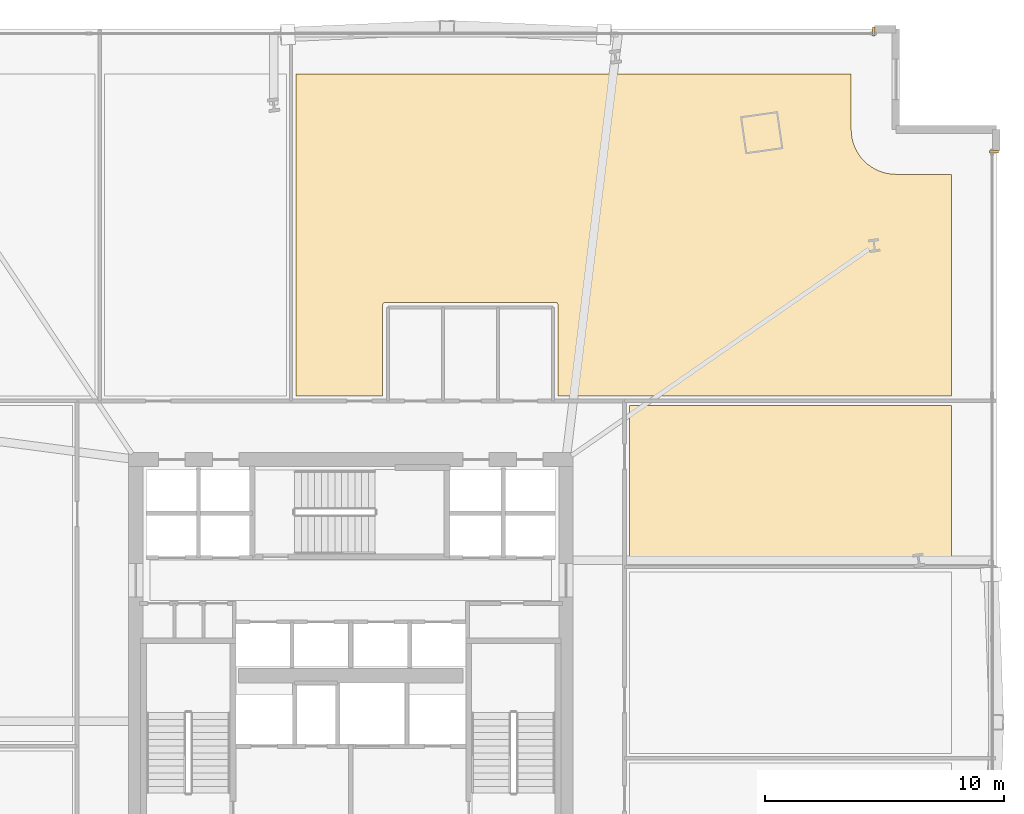
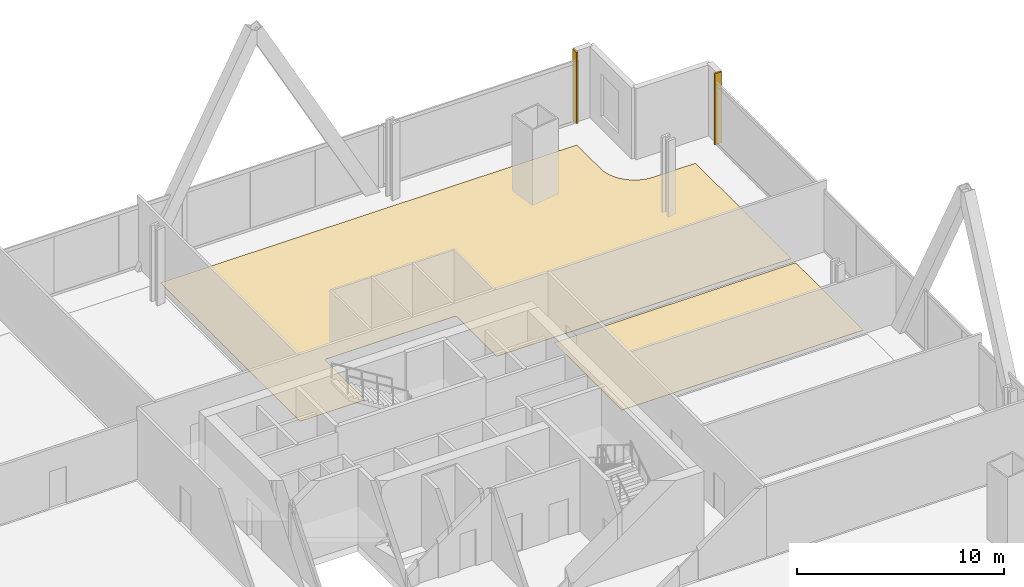
# One storey, part 29 of 29: 4 coverings.
"""IFC4 building model written with IfcOpenShell, lengths in metres."""

import ifcopenshell
import ifcopenshell.guid

model = None  # the IFC model being written
_history = None  # IfcOwnerHistory: only IFC2X3 demands one
_inside = {}  # id of a spatial element -> (the spatial element, [elements in it])
_under = {}  # id of a project, library or spatial element -> (it, [spatial elements below it])
_declared = {}  # id of a project -> (the project, [libraries it declares])
_typed = {}  # id of a type object -> (the type object, [elements of that type])
_made_of = {}  # id of a material, layer set ... -> (it, [elements and type objects made of it])


def new_model(schema):
    """Start an empty IFC model of exactly this schema.

    Asked for "IFC4X3", IfcOpenShell would pick the latest addendum, in which some entities
    have other attributes; the version numbers below select the first issue.
    IFC2X3 requires an IfcOwnerHistory on every rooted entity: one is made here for all.
    """
    global model, _history
    if schema == "IFC4X3":
        model = ifcopenshell.file(schema_version=(4, 3, 0, 0))
    else:
        model = ifcopenshell.file(schema=schema)
    _inside.clear()
    _under.clear()
    _declared.clear()
    _typed.clear()
    _made_of.clear()
    _history = None
    if model.schema == "IFC2X3":
        org = make("IfcOrganization", Name="unknown")
        user = make(
            "IfcPersonAndOrganization",
            ThePerson=make("IfcPerson", FamilyName="unknown"),
            TheOrganization=org,
        )
        app = make(
            "IfcApplication",
            ApplicationDeveloper=org,
            Version="unknown",
            ApplicationFullName="unknown",
            ApplicationIdentifier="unknown",
        )
        _history = make(
            "IfcOwnerHistory",
            OwningUser=user,
            OwningApplication=app,
            ChangeAction="ADDED",
            CreationDate=0,
        )
    return model


def make(cls, **values):
    """One entity of the class cls with the attributes given. An attribute that is None is left unset."""
    return model.create_entity(
        cls, **{name: value for name, value in values.items() if value is not None}
    )


def rooted(cls, **values):
    """An entity with a GlobalId (a new one), such as an element, a storey or a relation."""
    return make(cls, GlobalId=ifcopenshell.guid.new(), OwnerHistory=_history, **values)


def si_unit(unit_type, name, prefix=None):
    """IfcSIUnit, for example si_unit("LENGTHUNIT", "METRE", prefix="MILLI")."""
    return make("IfcSIUnit", UnitType=unit_type, Prefix=prefix, Name=name)


def assignment(units):
    """IfcUnitAssignment: the units of a project."""
    return None if units is None else make("IfcUnitAssignment", Units=units)


def point(xyz):
    """IfcCartesianPoint."""
    return None if xyz is None else make("IfcCartesianPoint", Coordinates=xyz)


def direction(xyz):
    """IfcDirection."""
    return None if xyz is None else make("IfcDirection", DirectionRatios=xyz)


def frame(location, z_axis=None, x_axis=None):
    """IfcAxis2Placement3D, a coordinate frame: its origin and axes. An axis left out is left unset."""
    return make(
        "IfcAxis2Placement3D",
        Location=point(location),
        Axis=direction(z_axis),
        RefDirection=direction(x_axis),
    )


def frame_2d(location, x_axis=None):
    """IfcAxis2Placement2D, a coordinate frame in the plane: its origin and x axis."""
    return make(
        "IfcAxis2Placement2D", Location=point(location), RefDirection=direction(x_axis)
    )


def origin():
    """The frame at (0, 0, 0) with its axes left unset."""
    return frame((0.0, 0.0, 0.0))


def origin_2d():
    """The frame at (0, 0) in the plane with its x axis left unset."""
    return frame_2d((0.0, 0.0))


def place(relative_to, where):
    """IfcLocalPlacement: puts the frame where relative to a parent placement (None: the world)."""
    return make(
        "IfcLocalPlacement", PlacementRelTo=relative_to, RelativePlacement=where
    )


def context(
    kind, dimensions, precision=None, world=None, true_north=None, identifier=None
):
    """IfcGeometricRepresentationContext, for example the 3D "Model" context."""
    return make(
        "IfcGeometricRepresentationContext",
        ContextIdentifier=identifier,
        ContextType=kind,
        CoordinateSpaceDimension=dimensions,
        Precision=precision,
        WorldCoordinateSystem=world,
        TrueNorth=true_north,
    )


def subcontext(parent, identifier, kind, view, scale=None):
    """IfcGeometricRepresentationSubContext, for example "Body" below "Model"."""
    return make(
        "IfcGeometricRepresentationSubContext",
        ContextIdentifier=identifier,
        ContextType=kind,
        ParentContext=parent,
        TargetScale=scale,
        TargetView=view,
    )


def project(units=None, contexts=None):
    """IfcProject with its units and contexts."""
    return rooted(
        "IfcProject",
        Name="project",
        RepresentationContexts=contexts,
        UnitsInContext=assignment(units),
    )


def spatial(cls, under=None, at=None, **own):
    """A site, building, storey or space (cls), placed at a placement, below another one or the project."""
    s = rooted(cls, ObjectPlacement=at, **own)
    if under is not None:
        _under.setdefault(under.id(), (under, []))[1].append(s)
    return s


def polyline(points):
    """IfcPolyline through the points."""
    return make("IfcPolyline", Points=[point(p) for p in points])


def profile(cls, at=None, kind="AREA", **sizes):
    """A parametric profile (cls). Its sizes go by their IFC names, for example OverallWidth=200.0."""
    return make(cls, ProfileType=kind, Position=at, **sizes)


def rectangle(**sizes):
    """IfcRectangleProfileDef."""
    return profile("IfcRectangleProfileDef", **sizes)


def outline(outer, holes=None, kind="AREA"):
    """IfcArbitraryClosedProfileDef: a profile drawn as a closed curve; with holes, ...WithVoids."""
    if holes is None:
        return make("IfcArbitraryClosedProfileDef", ProfileType=kind, OuterCurve=outer)
    return make(
        "IfcArbitraryProfileDefWithVoids",
        ProfileType=kind,
        OuterCurve=outer,
        InnerCurves=holes,
    )


def extrude(swept, where, along, depth):
    """IfcExtrudedAreaSolid: the profile swept, set in the frame where, extruded along a direction by depth."""
    return make(
        "IfcExtrudedAreaSolid",
        SweptArea=swept,
        Position=where,
        ExtrudedDirection=direction(along),
        Depth=depth,
    )


def shape(context_of_items, identifier, shape_type, items):
    """IfcShapeRepresentation: the items that make up one representation, for example the "Body"."""
    return make(
        "IfcShapeRepresentation",
        ContextOfItems=context_of_items,
        RepresentationIdentifier=identifier,
        RepresentationType=shape_type,
        Items=items,
    )


def source(mapping_origin, context_of_items, identifier, shape_type, items):
    """IfcRepresentationMap: a shape defined once, which mapped items show again and again."""
    return make(
        "IfcRepresentationMap",
        MappingOrigin=mapping_origin,
        MappedRepresentation=shape(context_of_items, identifier, shape_type, items),
    )


def transform(
    local_origin,
    x_axis=None,
    y_axis=None,
    z_axis=None,
    scale=None,
    scale2=None,
    scale3=None,
    uniform=True,
):
    """IfcCartesianTransformationOperator3D, or its non-uniform kind. x_axis, y_axis, z_axis: its Axis1, 2, 3."""
    if uniform:
        return make(
            "IfcCartesianTransformationOperator3D",
            Axis1=direction(x_axis),
            Axis2=direction(y_axis),
            LocalOrigin=point(local_origin),
            Scale=scale,
            Axis3=direction(z_axis),
        )
    return make(
        "IfcCartesianTransformationOperator3DnonUniform",
        Axis1=direction(x_axis),
        Axis2=direction(y_axis),
        LocalOrigin=point(local_origin),
        Scale=scale,
        Axis3=direction(z_axis),
        Scale2=scale2,
        Scale3=scale3,
    )


def mapped(mapping_source, mapping_target):
    """IfcMappedItem: shows the shape of a source again, moved by a transform."""
    return make(
        "IfcMappedItem", MappingSource=mapping_source, MappingTarget=mapping_target
    )


def material(Name=None, Category=None):
    """IfcMaterial."""
    return make("IfcMaterial", Name=Name, Category=Category)


def layer(
    of_material, thickness, ventilated=None, Name=None, Category=None, Priority=None
):
    """IfcMaterialLayer: one layer of a wall or slab, of a material (None: an air gap)."""
    return make(
        "IfcMaterialLayer",
        Material=of_material,
        LayerThickness=thickness,
        IsVentilated=ventilated,
        Name=Name,
        Category=Category,
        Priority=Priority,
    )


def layer_set(layers, Name=None):
    """IfcMaterialLayerSet."""
    return make("IfcMaterialLayerSet", MaterialLayers=layers, LayerSetName=Name)


def made_of(thing, what):
    """Note that an element or type object is made of a material, layer set ...; save() writes the relation."""
    if what is not None:
        _made_of.setdefault(what.id(), (what, []))[1].append(thing)
    return thing


def type_object(cls, material=None, **own):
    """A type object (cls), such as IfcWallType, which elements share."""
    return made_of(rooted(cls, **own), material)


def element(
    cls,
    number,
    at=None,
    inside=None,
    cuts=None,
    type_object=None,
    material=None,
    context=None,
    identifier="Body",
    shape_type=None,
    held_by="IfcProductDefinitionShape",
    body=None,
    shapes=None,
    **own,
):
    """One element of the class cls, such as IfcWall. Its Tag is "e" and its number.

    at: its placement. inside: the storey or other place that contains it. cuts: it is an
    opening in that element (IfcRelVoidsElement). A single representation is given by context,
    identifier, shape_type and body (its items); several are given by shapes. held_by: the class
    of the entity that holds the representations. save() writes the other relations.
    """
    e = rooted(cls, Tag="e%d" % number, ObjectPlacement=at, **own)
    if body is not None:
        shapes = [shape(context, identifier, shape_type, body)]
    if shapes is not None:
        e.Representation = make(held_by, Representations=shapes)
    if inside is not None:
        _inside.setdefault(inside.id(), (inside, []))[1].append(e)
    if cuts is not None:
        rooted(
            "IfcRelVoidsElement", RelatingBuildingElement=cuts, RelatedOpeningElement=e
        )
    if type_object is not None:
        _typed.setdefault(type_object.id(), (type_object, []))[1].append(e)
    return made_of(e, material)


def aggregate(whole, parts):
    """IfcRelAggregates: a whole, such as a stair, and the parts it consists of."""
    return rooted("IfcRelAggregates", RelatingObject=whole, RelatedObjects=parts)


def save(model, path):
    """Write the relations noted so far, then the file.

    IfcRelAggregates (storeys below a building ...), IfcRelContainedInSpatialStructure (elements
    in a storey), IfcRelDefinesByType, IfcRelAssociatesMaterial and IfcRelDeclares: one each for
    every whole, place, type object, material and project.
    """
    for whole, parts in _under.values():
        aggregate(whole, parts)
    for where, things in _inside.values():
        rooted(
            "IfcRelContainedInSpatialStructure",
            RelatedElements=things,
            RelatingStructure=where,
        )
    for kind, things in _typed.values():
        rooted("IfcRelDefinesByType", RelatedObjects=things, RelatingType=kind)
    for what, things in _made_of.values():
        rooted("IfcRelAssociatesMaterial", RelatedObjects=things, RelatingMaterial=what)
    for by, libraries in _declared.values():
        rooted("IfcRelDeclares", RelatingContext=by, RelatedDefinitions=libraries)
    model.write(path)


model = new_model("IFC4")

# Units and contexts
model_context = context("Model", 3, precision=1e-05, world=origin(), true_north=direction((0.0, 1.0)))
body_context = subcontext(model_context, "Body", "Model", "MODEL_VIEW")
ifc_project = project(units=[si_unit("LENGTHUNIT", "METRE"), si_unit("AREAUNIT", "SQUARE_METRE"), si_unit("VOLUMEUNIT", "CUBIC_METRE"), si_unit("PLANEANGLEUNIT", "RADIAN"), si_unit("MASSUNIT", "GRAM", prefix="KILO")], contexts=[model_context])

# Site, building, storey
site_placement = place(None, origin())
site = spatial("IfcSite", under=ifc_project, at=site_placement, CompositionType="ELEMENT")
building_placement = place(site_placement, origin())
building = spatial("IfcBuilding", under=site, at=building_placement, Name="Haldenkirk Collegiate Tower", CompositionType="ELEMENT")
storey_placement = place(building_placement, frame((0.0, 0.0, 28.199951171875)))
storey = spatial("IfcBuildingStorey", under=building, at=storey_placement, Name="L05", CompositionType="ELEMENT", Elevation=28.199951171875)

# Coverings
ifc_material_1 = material(Name="Polished collegiate terrazzo", Category="concrete")
ifc_layer_1 = layer(ifc_material_1, 0.02490234375)
ifc_layer_set_1 = layer_set([ifc_layer_1], Name="Polished collegiate terrazzo")
covering_type_1 = type_object("IfcCoveringType", Name="COV-FLOOR-TERRAZZO", PredefinedType="FLOORING", material=ifc_layer_set_1)
covering_1_placement = place(storey_placement, origin())
element("IfcCovering", 1, at=covering_1_placement, inside=storey, type_object=covering_type_1, Name="L05 academic room finish 06", PredefinedType="FLOORING", context=body_context, shape_type="SweptSolid", body=[
    extrude(outline(polyline([(56.929931640625, 50.1298828125), (56.929931640625, 47.800048828125), (56.93017578125, 47.794189453125), (56.9384765625, 47.62255859375), (56.939697265625, 47.61083984375), (56.96484375, 47.44091796875), (56.96728515625, 47.429443359375), (57.009033203125, 47.2626953125), (57.012451171875, 47.251708984375), (57.0703125, 47.08984375), (57.07470703125, 47.0791015625), (57.148193359375, 46.923828125), (57.15380859375, 46.913330078125), (57.241943359375, 46.76611328125), (57.24853515625, 46.75634765625), (57.350830078125, 46.618408203125), (57.3583984375, 46.609130859375), (57.4736328125, 46.48193359375), (57.48193359375, 46.4736328125), (57.609130859375, 46.3583984375), (57.618408203125, 46.350830078125), (57.75634765625, 46.24853515625), (57.76611328125, 46.241943359375), (57.913330078125, 46.15380859375), (57.923828125, 46.148193359375), (58.0791015625, 46.07470703125), (58.08984375, 46.0703125), (58.251708984375, 46.012451171875), (58.2626953125, 46.009033203125), (58.429443359375, 45.96728515625), (58.44091796875, 45.96484375), (58.61083984375, 45.939697265625), (58.62255859375, 45.9384765625), (58.794189453125, 45.93017578125), (58.800048828125, 45.929931640625), (61.1298828125, 45.929931640625), (61.1298828125, 36.64990234375), (44.669921875, 36.64990234375), (44.669921875, 40.449951171875), (44.66943359375, 40.4619140625), (44.667724609375, 40.473388671875), (44.664794921875, 40.48486328125), (44.660888671875, 40.495849609375), (44.65576171875, 40.506591796875), (44.64990234375, 40.5166015625), (44.642822265625, 40.526123046875), (44.635009765625, 40.534912109375), (44.626220703125, 40.542724609375), (44.61669921875, 40.5498046875), (44.606689453125, 40.555908203125), (44.595947265625, 40.560791015625), (44.584716796875, 40.564697265625), (44.573486328125, 40.567626953125), (44.561767578125, 40.5693359375), (44.550048828125, 40.570068359375), (37.449951171875, 40.570068359375), (37.438232421875, 40.5693359375), (37.426513671875, 40.567626953125), (37.415283203125, 40.564697265625), (37.404052734375, 40.560791015625), (37.393310546875, 40.555908203125), (37.38330078125, 40.5498046875), (37.373779296875, 40.542724609375), (37.364990234375, 40.534912109375), (37.357177734375, 40.526123046875), (37.35009765625, 40.5166015625), (37.34423828125, 40.506591796875), (37.339111328125, 40.495849609375), (37.335205078125, 40.48486328125), (37.332275390625, 40.473388671875), (37.33056640625, 40.4619140625), (37.330078125, 40.449951171875), (37.330078125, 36.64990234375), (33.699951171875, 36.64990234375), (33.699951171875, 50.1298828125), (56.929931640625, 50.1298828125)])), origin(), (0.0, 0.0, 1.0), 0.025146484375),
])
ifc_material_2 = material(Name="Engineered collegiate oak acoustic flooring", Category="wood")
ifc_layer_2 = layer(ifc_material_2, 0.02197265625)
ifc_layer_set_2 = layer_set([ifc_layer_2], Name="Engineered collegiate oak acoustic flooring")
covering_type_2 = type_object("IfcCoveringType", Name="COV-FLOOR-TIMBER", PredefinedType="FLOORING", material=ifc_layer_set_2)
covering_2_placement = place(storey_placement, origin())
element("IfcCovering", 2, at=covering_2_placement, inside=storey, type_object=covering_type_2, Name="L05 academic room finish 11", PredefinedType="FLOORING", context=body_context, shape_type="SweptSolid", body=[
    extrude(outline(polyline([(61.1298828125, 29.699951171875), (47.64990234375, 29.699951171875), (47.64990234375, 36.25), (61.1298828125, 36.25), (61.1298828125, 29.699951171875)])), origin(), (0.0, 0.0, 1.0), 0.02197265625),
])
ifc_material_3 = material(Name="Anodised architectural bronze aluminium", Category="aluminium")
ifc_layer_3 = layer(ifc_material_3, 0.06005859375)
ifc_layer_set_3 = layer_set([ifc_layer_3], Name="Anodised architectural bronze aluminium")
covering_type_3 = type_object("IfcCoveringType", Name="COV-CLAD-BRONZE-60", PredefinedType="CLADDING", material=ifc_layer_set_3)
shared_shape = source(origin(), body_context, "Body", "SweptSolid", [
    extrude(rectangle(XDim=0.10009765625, YDim=0.3798828125, at=origin_2d()), origin(), (0.0, 0.0, 1.0), 4.18994140625),
])
for number, where, z_axis, x_axis, name in (
    (3, (62.909912109375, 46.8701171875, 0.0), (0.0, 0.0, 1.0), (0.0, -1.0, 0.0), "L05 recessed curtain-wall bronze jamb closure EJL"),
    (4, (57.8701171875, 51.909912109375, 0.0), (0.0, 0.0, 1.0), (1.0, 0.0, 0.0), "L05 recessed curtain-wall bronze jamb closure NJR"),
):
    element("IfcCovering", number, at=place(storey_placement, frame(where, z_axis=z_axis, x_axis=x_axis)), inside=storey, type_object=covering_type_3, Name=name, PredefinedType="CLADDING", context=body_context, shape_type="MappedRepresentation", body=[
        mapped(shared_shape, transform((0.0, 0.0, 0.0), x_axis=(1.0, 0.0, 0.0), y_axis=(0.0, 1.0, 0.0), z_axis=(0.0, 0.0, 1.0), scale=1.0)),
    ])

save(model, "model.ifc")
